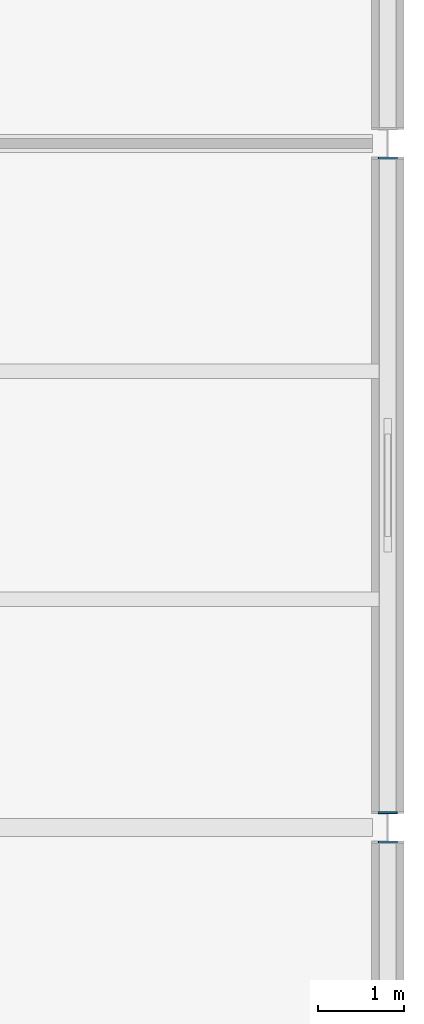
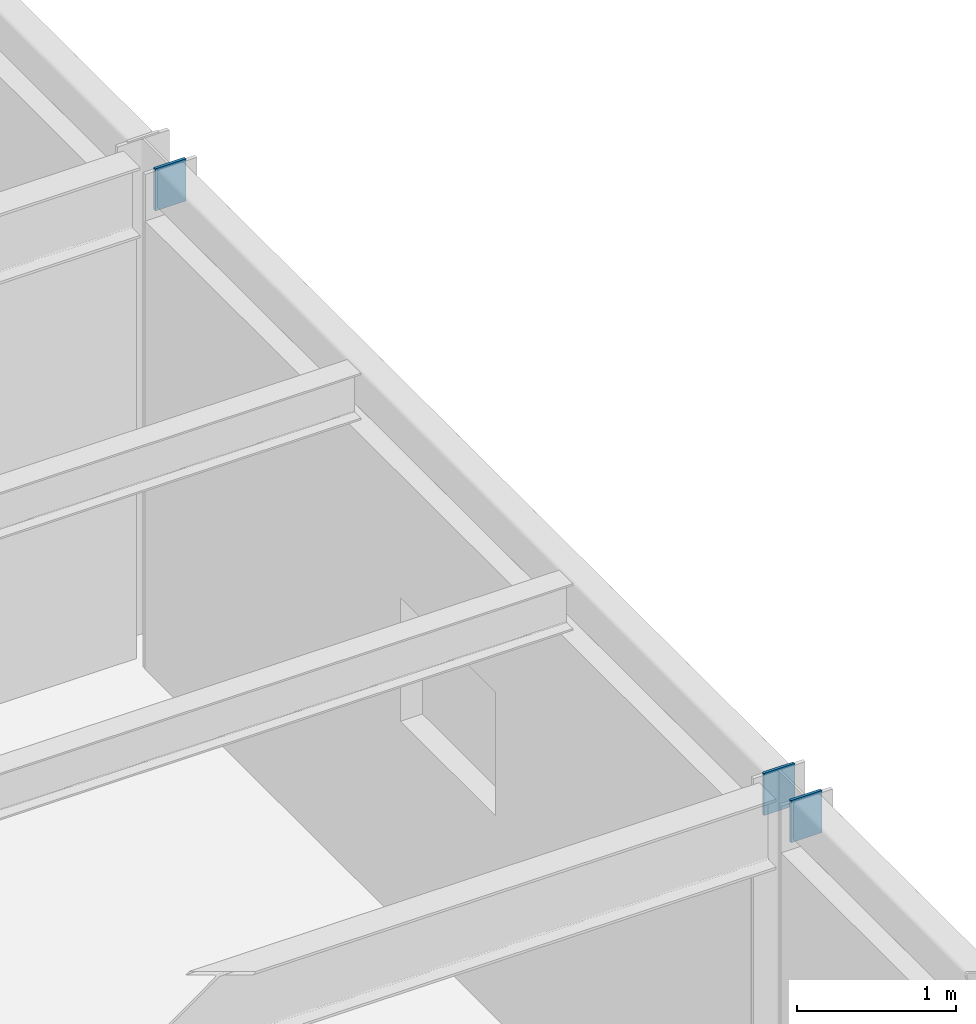
# One storey, part 125 of 138: 3 discrete accessories.
"""IFC4 building model written with IfcOpenShell, lengths in metres."""

from ifc_helpers import new_model, si_unit, direction, frame, origin, origin_2d, place, context, subcontext, project, spatial, rectangle, extrude, material, layer, layer_set, type_object, element, save


model = new_model("IFC4")

# Units and contexts
model_context = context("Model", 3, precision=1e-05, world=origin(), true_north=direction((0.0, 1.0)))
body_context = subcontext(model_context, "Body", "Model", "MODEL_VIEW")
ifc_project = project(units=[si_unit("LENGTHUNIT", "METRE"), si_unit("AREAUNIT", "SQUARE_METRE"), si_unit("VOLUMEUNIT", "CUBIC_METRE"), si_unit("PLANEANGLEUNIT", "RADIAN"), si_unit("MASSUNIT", "GRAM", prefix="KILO")], contexts=[model_context])

# Site, building, storey
site_placement = place(None, origin())
site = spatial("IfcSite", under=ifc_project, at=site_placement, CompositionType="ELEMENT")
building_placement = place(site_placement, origin())
building = spatial("IfcBuilding", under=site, at=building_placement, Name="Kranzveld Transit Interchange", CompositionType="ELEMENT")
storey_placement = place(building_placement, frame((0.0, 0.0, 5.43994140625)))
storey = spatial("IfcBuildingStorey", under=building, at=storey_placement, Name="L01", CompositionType="ELEMENT", Elevation=5.43994140625)

# Discrete accessories
ifc_material = material(Name="Steel S355JR", Category="steel")
ifc_layer = layer(ifc_material, 0.02001953125)
ifc_layer_set = layer_set([ifc_layer], Name="Steel S355JR")
discrete_accessory_type = type_object("IfcDiscreteAccessoryType", Name="Hollow Section End Cap Bracket 20 S355JR", PredefinedType="BRACKET", material=ifc_layer_set)
for number, where, z_axis, x_axis, name in (
    (1, (168.0, 87.818603515625, 3.650146484375), (0.0, 1.0, 0.0), (-1.0, 0.0, 0.0), "Hollow Section End Cap SP-RHS300-2"),
    (2, (168.0, 88.181396484375, 3.650146484375), (0.0, -1.0, 0.0), (1.0, 0.0, 0.0), "Hollow Section End Cap SP-RHS300-1"),
    (3, (168.0, 95.818603515625, 3.650146484375), (0.0, 1.0, 0.0), (-1.0, 0.0, 0.0), "Hollow Section End Cap SP-RHS300-2"),
):
    element("IfcDiscreteAccessory", number, at=place(storey_placement, frame(where, z_axis=z_axis, x_axis=x_axis)), inside=storey, type_object=discrete_accessory_type, Name=name, PredefinedType="BRACKET", context=body_context, shape_type="SweptSolid", body=[
        extrude(rectangle(XDim=0.22412109375, YDim=0.323974609375, at=origin_2d()), origin(), (0.0, 0.0, 1.0), 0.02001953125),
    ])

save(model, "model.ifc")
